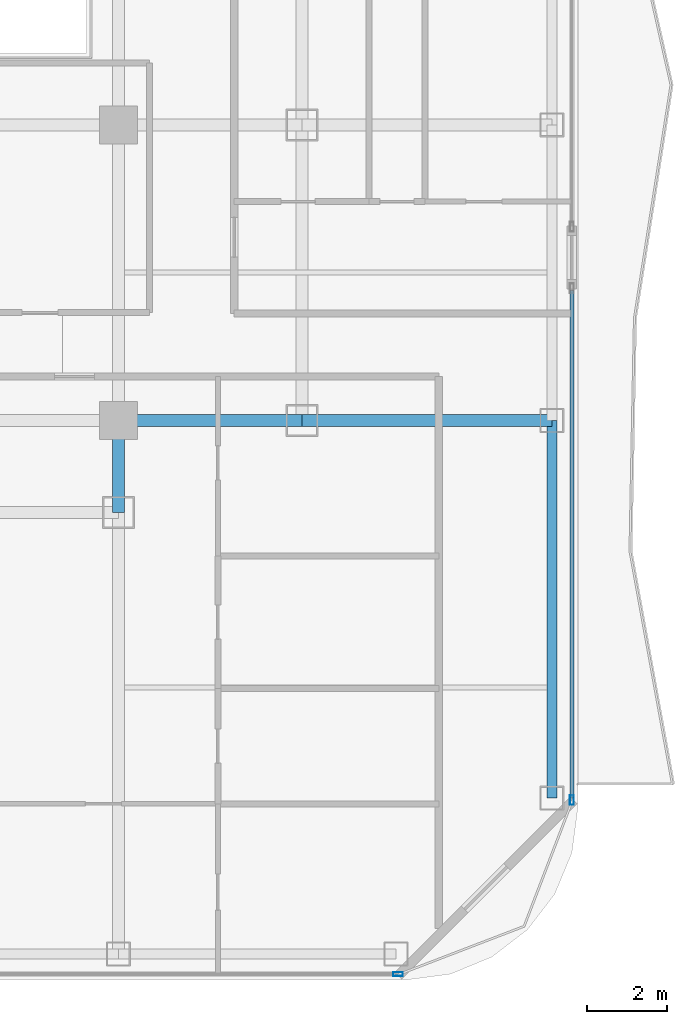
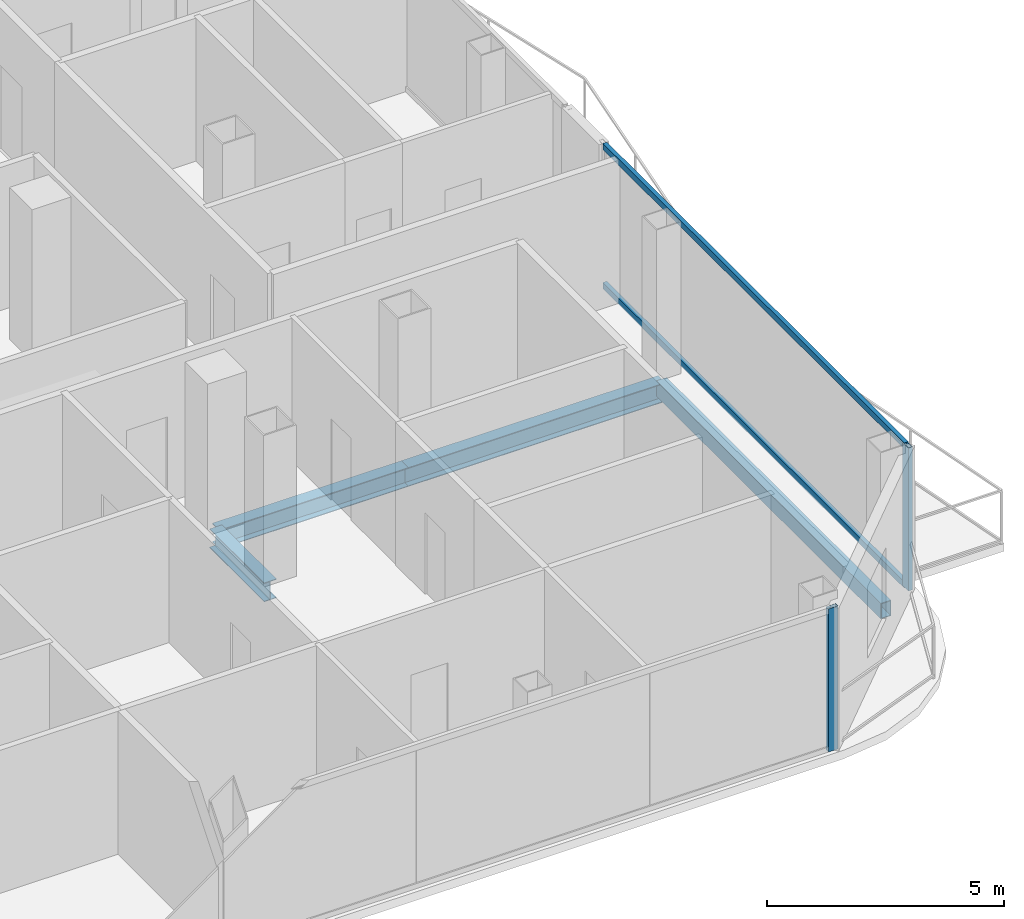
# One storey, part 10 of 27: 4 beams, 4 members, 2 elements without a shape of their own.
"""IFC4 building model written with IfcOpenShell, lengths in metres."""

from ifc_helpers import new_model, si_unit, direction, frame, origin, origin_2d, place, context, subcontext, project, spatial, hollow_rectangle, i_section, extrude, material, layer, layer_set, material_profile, profile_set, type_object, element, aggregate, save


model = new_model("IFC4")

# Units and contexts
model_context = context("Model", 3, precision=1e-05, world=origin(), true_north=direction((0.0, 1.0)))
body_context = subcontext(model_context, "Body", "Model", "MODEL_VIEW")
ifc_project = project(units=[si_unit("LENGTHUNIT", "METRE"), si_unit("AREAUNIT", "SQUARE_METRE"), si_unit("VOLUMEUNIT", "CUBIC_METRE"), si_unit("PLANEANGLEUNIT", "RADIAN"), si_unit("MASSUNIT", "GRAM", prefix="KILO")], contexts=[model_context])

# Site, building, storey
site_placement = place(None, origin())
site = spatial("IfcSite", under=ifc_project, at=site_placement, CompositionType="ELEMENT")
building_placement = place(site_placement, origin())
building = spatial("IfcBuilding", under=site, at=building_placement, Name="Khorvyn Point Tower", CompositionType="ELEMENT")
storey_placement = place(building_placement, frame((0.0, 0.0, 243.0)))
storey = spatial("IfcBuildingStorey", under=building, at=storey_placement, Name="L59", CompositionType="ELEMENT", Elevation=243.0)

# Curtain wall, member
ifc_material_1 = material(Name="Anodised aluminium 6063-T6 and laminated Low-E glass", Category="aluminium")
ifc_layer = layer(ifc_material_1, 0.18994140625)
ifc_layer_set = layer_set([ifc_layer], Name="Stick-Built Acoustic Curtain Wall CW-SYS-03")
curtain_wall_type = type_object("IfcCurtainWallType", Name="Stick-Built Acoustic Curtain Wall CW-SYS-03", PredefinedType="NOTDEFINED", material=ifc_layer_set)
curtain_wall_1_placement = place(storey_placement, origin())
curtain_wall_1 = element("IfcCurtainWall", 1, at=curtain_wall_1_placement, inside=storey, type_object=curtain_wall_type, Name="Curtain Wall", PredefinedType="NOTDEFINED")
ifc_material_2 = material(Name="Anodised aluminium 6063-T6", Category="aluminium")
ifc_material_profile_1 = material_profile(ifc_material_2, hollow_rectangle(XDim=0.10009765625, YDim=0.239990234375, WallThickness=0.0048828125, at=origin_2d()))
ifc_profile_set_1 = profile_set([ifc_material_profile_1], Name="Anodised aluminium 6063-T6 ALU-MUL-100x240")
member_type_1 = type_object("IfcMemberType", Name="Anodised Aluminium 6063-T6 Mullion ALU-MUL-100x240", PredefinedType="MULLION", material=ifc_profile_set_1)
member_1_placement = place(storey_placement, frame((21.800048828125, -28.64990234375, 0.0), z_axis=(0.0, 0.0, 1.0), x_axis=(0.0, -1.0, 0.0)))
member_1 = element("IfcMember", 2, at=member_1_placement, type_object=member_type_1, Name="Transom", PredefinedType="MULLION", context=body_context, shape_type="SweptSolid", body=[
    extrude(hollow_rectangle(XDim=0.10009765625, YDim=0.239990234375, WallThickness=0.0048828125, at=origin_2d()), origin(), (0.0, 0.0, 1.0), 3.679931640625),
])
aggregate(curtain_wall_1, [member_1])

# Curtain wall, members
curtain_wall_2_placement = place(storey_placement, origin())
curtain_wall_2 = element("IfcCurtainWall", 3, at=curtain_wall_2_placement, inside=storey, type_object=curtain_wall_type, Name="Curtain Wall", PredefinedType="NOTDEFINED")
member_2_placement = place(storey_placement, frame((26.14990234375, -24.300048828125, 0.0), z_axis=(0.0, 0.0, 1.0), x_axis=(1.0, 0.0, 0.0)))
member_2 = element("IfcMember", 4, at=member_2_placement, type_object=member_type_1, Name="Transom", PredefinedType="MULLION", context=body_context, shape_type="SweptSolid", body=[
    extrude(hollow_rectangle(XDim=0.10009765625, YDim=0.239990234375, WallThickness=0.0048828125, at=origin_2d()), origin(), (0.0, 0.0, 1.0), 3.679931640625),
])
ifc_material_profile_2 = material_profile(ifc_material_2, hollow_rectangle(XDim=0.10009765625, YDim=0.159912109375, WallThickness=0.00439453125, at=origin_2d()))
ifc_profile_set_2 = profile_set([ifc_material_profile_2], Name="Anodised aluminium 6063-T6 ALU-TRN-100x160")
member_type_2 = type_object("IfcMemberType", Name="Anodised Aluminium 6063-T6 Transom ALU-TRN-100x160", PredefinedType="USERDEFINED", material=ifc_profile_set_2)
member_3_placement = place(storey_placement, frame((26.14990234375, -11.5400390625, 0.050048828125), z_axis=(0.0, -1.0, 0.0), x_axis=(1.0, 0.0, 0.0)))
member_3 = element("IfcMember", 5, at=member_3_placement, type_object=member_type_2, Name="Transom", ObjectType="TRANSOM", PredefinedType="USERDEFINED", context=body_context, shape_type="SweptSolid", body=[
    extrude(hollow_rectangle(XDim=0.10009765625, YDim=0.159912109375, WallThickness=0.00439453125, at=origin_2d()), origin(), (0.0, 0.0, 1.0), 12.7099609375),
])
member_4_placement = place(storey_placement, frame((26.14990234375, -11.5400390625, 3.6298828125), z_axis=(0.0, -1.0, 0.0), x_axis=(1.0, 0.0, 0.0)))
member_4 = element("IfcMember", 6, at=member_4_placement, type_object=member_type_2, Name="Transom", ObjectType="TRANSOM", PredefinedType="USERDEFINED", context=body_context, shape_type="SweptSolid", body=[
    extrude(hollow_rectangle(XDim=0.10009765625, YDim=0.159912109375, WallThickness=0.00439453125, at=origin_2d()), origin(), (0.0, 0.0, 1.0), 12.7099609375),
])
aggregate(curtain_wall_2, [member_2, member_3, member_4])

# Beams
ifc_material_3 = material(Name="Steel S355", Category="steel")
ifc_material_profile_3 = material_profile(ifc_material_3, i_section(OverallWidth=0.300048828125, OverallDepth=0.488037109375, WebThickness=0.010986328125, FlangeThickness=0.01806640625, at=origin_2d()))
ifc_profile_set_3 = profile_set([ifc_material_profile_3], Name="Steel S355 H488x300x11x18")
beam_type_1 = type_object("IfcBeamType", Name="Steel S355 Spandrel H488x300x11x18", PredefinedType="SPANDREL", material=ifc_profile_set_3)
beam_1_placement = place(storey_placement, frame((14.800048828125, -14.800048828125, -0.464111328125), z_axis=(1.0, 0.0, 0.0), x_axis=(0.0, 1.0, 0.0)))
element("IfcBeam", 7, at=beam_1_placement, inside=storey, type_object=beam_type_1, Name="Beam", PredefinedType="SPANDREL", context=body_context, shape_type="SweptSolid", body=[
    extrude(i_section(OverallWidth=0.300048828125, OverallDepth=0.488037109375, WebThickness=0.010986328125, FlangeThickness=0.01806640625, at=origin_2d()), origin(), (0.0, 0.0, 1.0), 4.599853515625),
])
beam_2_placement = place(storey_placement, frame((19.39990234375, -14.800048828125, -0.464111328125), z_axis=(1.0, 0.0, 0.0), x_axis=(0.0, 1.0, 0.0)))
element("IfcBeam", 8, at=beam_2_placement, inside=storey, type_object=beam_type_1, Name="Beam", PredefinedType="SPANDREL", context=body_context, shape_type="SweptSolid", body=[
    extrude(i_section(OverallWidth=0.300048828125, OverallDepth=0.488037109375, WebThickness=0.010986328125, FlangeThickness=0.01806640625, at=origin_2d()), origin(), (0.0, 0.0, 1.0), 6.25),
])
beam_3_placement = place(storey_placement, frame((14.800048828125, -17.10009765625, -0.464111328125), z_axis=(0.0, 1.0, 0.0), x_axis=(-1.0, 0.0, 0.0)))
element("IfcBeam", 9, at=beam_3_placement, inside=storey, type_object=beam_type_1, Name="Beam", PredefinedType="SPANDREL", context=body_context, shape_type="SweptSolid", body=[
    extrude(i_section(OverallWidth=0.300048828125, OverallDepth=0.488037109375, WebThickness=0.010986328125, FlangeThickness=0.01806640625, at=origin_2d()), origin(), (0.0, 0.0, 1.0), 2.300048828125),
])
ifc_material_profile_4 = material_profile(ifc_material_3, hollow_rectangle(XDim=0.25, YDim=0.39990234375, WallThickness=0.01611328125, at=origin_2d()))
ifc_profile_set_4 = profile_set([ifc_material_profile_4], Name="Steel S355 RHS400x250x16")
beam_type_2 = type_object("IfcBeamType", Name="Steel S355 Spandrel RHS400x250x16", PredefinedType="SPANDREL", material=ifc_profile_set_4)
beam_4_placement = place(storey_placement, frame((25.64990234375, -24.25, -0.419921875), z_axis=(0.0, 1.0, 0.0), x_axis=(-1.0, 0.0, 0.0)))
element("IfcBeam", 10, at=beam_4_placement, inside=storey, type_object=beam_type_2, Name="Beam", PredefinedType="SPANDREL", context=body_context, shape_type="SweptSolid", body=[
    extrude(hollow_rectangle(XDim=0.25, YDim=0.39990234375, WallThickness=0.01611328125, at=origin_2d()), origin(), (0.0, 0.0, 1.0), 9.449951171875),
])

save(model, "model.ifc")
